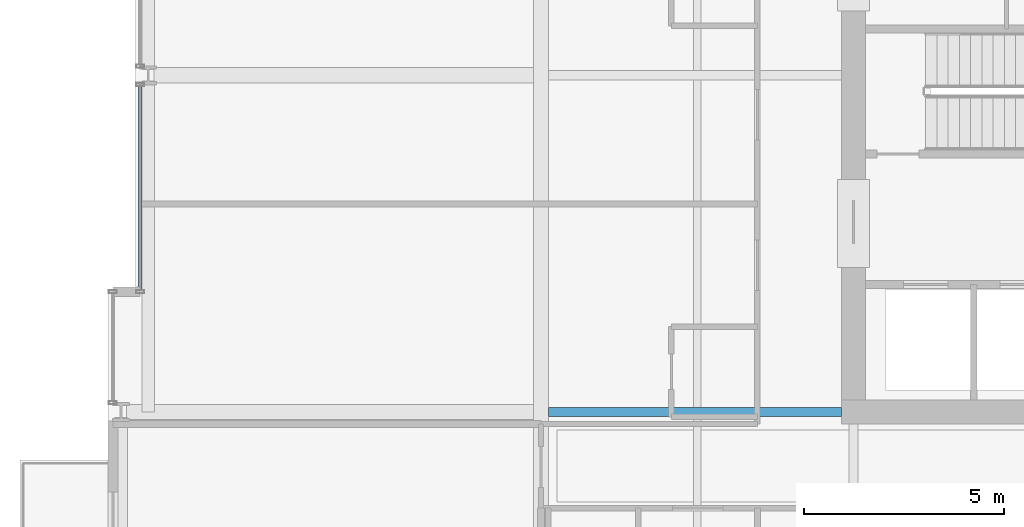
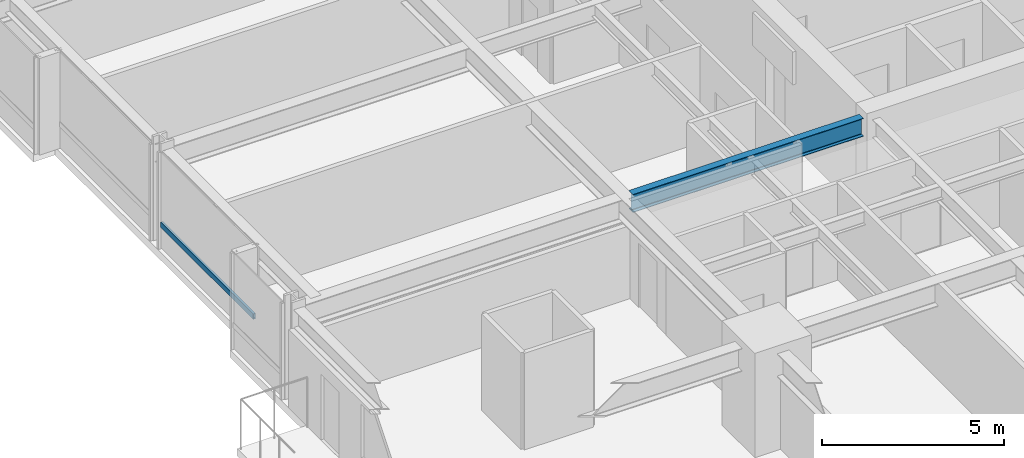
# One storey, part 8 of 38: 1 beam, 1 member, 1 element without a shape of its own.
"""IFC4 building model written with IfcOpenShell, lengths in metres."""

import ifcopenshell
import ifcopenshell.guid

model = None  # the IFC model being written
_history = None  # IfcOwnerHistory: only IFC2X3 demands one
_inside = {}  # id of a spatial element -> (the spatial element, [elements in it])
_under = {}  # id of a project, library or spatial element -> (it, [spatial elements below it])
_declared = {}  # id of a project -> (the project, [libraries it declares])
_typed = {}  # id of a type object -> (the type object, [elements of that type])
_made_of = {}  # id of a material, layer set ... -> (it, [elements and type objects made of it])


def new_model(schema):
    """Start an empty IFC model of exactly this schema.

    Asked for "IFC4X3", IfcOpenShell would pick the latest addendum, in which some entities
    have other attributes; the version numbers below select the first issue.
    IFC2X3 requires an IfcOwnerHistory on every rooted entity: one is made here for all.
    """
    global model, _history
    if schema == "IFC4X3":
        model = ifcopenshell.file(schema_version=(4, 3, 0, 0))
    else:
        model = ifcopenshell.file(schema=schema)
    _inside.clear()
    _under.clear()
    _declared.clear()
    _typed.clear()
    _made_of.clear()
    _history = None
    if model.schema == "IFC2X3":
        org = make("IfcOrganization", Name="unknown")
        user = make(
            "IfcPersonAndOrganization",
            ThePerson=make("IfcPerson", FamilyName="unknown"),
            TheOrganization=org,
        )
        app = make(
            "IfcApplication",
            ApplicationDeveloper=org,
            Version="unknown",
            ApplicationFullName="unknown",
            ApplicationIdentifier="unknown",
        )
        _history = make(
            "IfcOwnerHistory",
            OwningUser=user,
            OwningApplication=app,
            ChangeAction="ADDED",
            CreationDate=0,
        )
    return model


def make(cls, **values):
    """One entity of the class cls with the attributes given. An attribute that is None is left unset."""
    return model.create_entity(
        cls, **{name: value for name, value in values.items() if value is not None}
    )


def rooted(cls, **values):
    """An entity with a GlobalId (a new one), such as an element, a storey or a relation."""
    return make(cls, GlobalId=ifcopenshell.guid.new(), OwnerHistory=_history, **values)


def si_unit(unit_type, name, prefix=None):
    """IfcSIUnit, for example si_unit("LENGTHUNIT", "METRE", prefix="MILLI")."""
    return make("IfcSIUnit", UnitType=unit_type, Prefix=prefix, Name=name)


def assignment(units):
    """IfcUnitAssignment: the units of a project."""
    return None if units is None else make("IfcUnitAssignment", Units=units)


def point(xyz):
    """IfcCartesianPoint."""
    return None if xyz is None else make("IfcCartesianPoint", Coordinates=xyz)


def direction(xyz):
    """IfcDirection."""
    return None if xyz is None else make("IfcDirection", DirectionRatios=xyz)


def frame(location, z_axis=None, x_axis=None):
    """IfcAxis2Placement3D, a coordinate frame: its origin and axes. An axis left out is left unset."""
    return make(
        "IfcAxis2Placement3D",
        Location=point(location),
        Axis=direction(z_axis),
        RefDirection=direction(x_axis),
    )


def frame_2d(location, x_axis=None):
    """IfcAxis2Placement2D, a coordinate frame in the plane: its origin and x axis."""
    return make(
        "IfcAxis2Placement2D", Location=point(location), RefDirection=direction(x_axis)
    )


def origin():
    """The frame at (0, 0, 0) with its axes left unset."""
    return frame((0.0, 0.0, 0.0))


def origin_2d():
    """The frame at (0, 0) in the plane with its x axis left unset."""
    return frame_2d((0.0, 0.0))


def place(relative_to, where):
    """IfcLocalPlacement: puts the frame where relative to a parent placement (None: the world)."""
    return make(
        "IfcLocalPlacement", PlacementRelTo=relative_to, RelativePlacement=where
    )


def context(
    kind, dimensions, precision=None, world=None, true_north=None, identifier=None
):
    """IfcGeometricRepresentationContext, for example the 3D "Model" context."""
    return make(
        "IfcGeometricRepresentationContext",
        ContextIdentifier=identifier,
        ContextType=kind,
        CoordinateSpaceDimension=dimensions,
        Precision=precision,
        WorldCoordinateSystem=world,
        TrueNorth=true_north,
    )


def subcontext(parent, identifier, kind, view, scale=None):
    """IfcGeometricRepresentationSubContext, for example "Body" below "Model"."""
    return make(
        "IfcGeometricRepresentationSubContext",
        ContextIdentifier=identifier,
        ContextType=kind,
        ParentContext=parent,
        TargetScale=scale,
        TargetView=view,
    )


def project(units=None, contexts=None):
    """IfcProject with its units and contexts."""
    return rooted(
        "IfcProject",
        Name="project",
        RepresentationContexts=contexts,
        UnitsInContext=assignment(units),
    )


def spatial(cls, under=None, at=None, **own):
    """A site, building, storey or space (cls), placed at a placement, below another one or the project."""
    s = rooted(cls, ObjectPlacement=at, **own)
    if under is not None:
        _under.setdefault(under.id(), (under, []))[1].append(s)
    return s


def profile(cls, at=None, kind="AREA", **sizes):
    """A parametric profile (cls). Its sizes go by their IFC names, for example OverallWidth=200.0."""
    return make(cls, ProfileType=kind, Position=at, **sizes)


def hollow_rectangle(**sizes):
    """IfcRectangleHollowProfileDef."""
    return profile("IfcRectangleHollowProfileDef", **sizes)


def i_section(**sizes):
    """IfcIShapeProfileDef."""
    return profile("IfcIShapeProfileDef", **sizes)


def extrude(swept, where, along, depth):
    """IfcExtrudedAreaSolid: the profile swept, set in the frame where, extruded along a direction by depth."""
    return make(
        "IfcExtrudedAreaSolid",
        SweptArea=swept,
        Position=where,
        ExtrudedDirection=direction(along),
        Depth=depth,
    )


def shape(context_of_items, identifier, shape_type, items):
    """IfcShapeRepresentation: the items that make up one representation, for example the "Body"."""
    return make(
        "IfcShapeRepresentation",
        ContextOfItems=context_of_items,
        RepresentationIdentifier=identifier,
        RepresentationType=shape_type,
        Items=items,
    )


def material(Name=None, Category=None):
    """IfcMaterial."""
    return make("IfcMaterial", Name=Name, Category=Category)


def layer(
    of_material, thickness, ventilated=None, Name=None, Category=None, Priority=None
):
    """IfcMaterialLayer: one layer of a wall or slab, of a material (None: an air gap)."""
    return make(
        "IfcMaterialLayer",
        Material=of_material,
        LayerThickness=thickness,
        IsVentilated=ventilated,
        Name=Name,
        Category=Category,
        Priority=Priority,
    )


def layer_set(layers, Name=None):
    """IfcMaterialLayerSet."""
    return make("IfcMaterialLayerSet", MaterialLayers=layers, LayerSetName=Name)


def material_profile(
    of_material, cross_section, Name=None, Category=None, Priority=None
):
    """IfcMaterialProfile: a cross section and its material."""
    return make(
        "IfcMaterialProfile",
        Name=Name,
        Material=of_material,
        Profile=cross_section,
        Priority=Priority,
        Category=Category,
    )


def profile_set(profiles, Name=None, composite=None):
    """IfcMaterialProfileSet."""
    return make(
        "IfcMaterialProfileSet",
        Name=Name,
        MaterialProfiles=profiles,
        CompositeProfile=composite,
    )


def made_of(thing, what):
    """Note that an element or type object is made of a material, layer set ...; save() writes the relation."""
    if what is not None:
        _made_of.setdefault(what.id(), (what, []))[1].append(thing)
    return thing


def type_object(cls, material=None, **own):
    """A type object (cls), such as IfcWallType, which elements share."""
    return made_of(rooted(cls, **own), material)


def element(
    cls,
    number,
    at=None,
    inside=None,
    cuts=None,
    type_object=None,
    material=None,
    context=None,
    identifier="Body",
    shape_type=None,
    held_by="IfcProductDefinitionShape",
    body=None,
    shapes=None,
    **own,
):
    """One element of the class cls, such as IfcWall. Its Tag is "e" and its number.

    at: its placement. inside: the storey or other place that contains it. cuts: it is an
    opening in that element (IfcRelVoidsElement). A single representation is given by context,
    identifier, shape_type and body (its items); several are given by shapes. held_by: the class
    of the entity that holds the representations. save() writes the other relations.
    """
    e = rooted(cls, Tag="e%d" % number, ObjectPlacement=at, **own)
    if body is not None:
        shapes = [shape(context, identifier, shape_type, body)]
    if shapes is not None:
        e.Representation = make(held_by, Representations=shapes)
    if inside is not None:
        _inside.setdefault(inside.id(), (inside, []))[1].append(e)
    if cuts is not None:
        rooted(
            "IfcRelVoidsElement", RelatingBuildingElement=cuts, RelatedOpeningElement=e
        )
    if type_object is not None:
        _typed.setdefault(type_object.id(), (type_object, []))[1].append(e)
    return made_of(e, material)


def aggregate(whole, parts):
    """IfcRelAggregates: a whole, such as a stair, and the parts it consists of."""
    return rooted("IfcRelAggregates", RelatingObject=whole, RelatedObjects=parts)


def save(model, path):
    """Write the relations noted so far, then the file.

    IfcRelAggregates (storeys below a building ...), IfcRelContainedInSpatialStructure (elements
    in a storey), IfcRelDefinesByType, IfcRelAssociatesMaterial and IfcRelDeclares: one each for
    every whole, place, type object, material and project.
    """
    for whole, parts in _under.values():
        aggregate(whole, parts)
    for where, things in _inside.values():
        rooted(
            "IfcRelContainedInSpatialStructure",
            RelatedElements=things,
            RelatingStructure=where,
        )
    for kind, things in _typed.values():
        rooted("IfcRelDefinesByType", RelatedObjects=things, RelatingType=kind)
    for what, things in _made_of.values():
        rooted("IfcRelAssociatesMaterial", RelatedObjects=things, RelatingMaterial=what)
    for by, libraries in _declared.values():
        rooted("IfcRelDeclares", RelatingContext=by, RelatedDefinitions=libraries)
    model.write(path)


model = new_model("IFC4")

# Units and contexts
model_context = context("Model", 3, precision=1e-05, world=origin(), true_north=direction((0.0, 1.0)))
body_context = subcontext(model_context, "Body", "Model", "MODEL_VIEW")
ifc_project = project(units=[si_unit("LENGTHUNIT", "METRE"), si_unit("AREAUNIT", "SQUARE_METRE"), si_unit("VOLUMEUNIT", "CUBIC_METRE"), si_unit("PLANEANGLEUNIT", "RADIAN"), si_unit("MASSUNIT", "GRAM", prefix="KILO")], contexts=[model_context])

# Site, building, storey
site_placement = place(None, origin())
site = spatial("IfcSite", under=ifc_project, at=site_placement, CompositionType="ELEMENT")
building_placement = place(site_placement, origin())
building = spatial("IfcBuilding", under=site, at=building_placement, Name="Drelvath Grand Hotel", CompositionType="ELEMENT")
storey_placement = place(building_placement, frame((0.0, 0.0, 61.199951171875)))
storey = spatial("IfcBuildingStorey", under=building, at=storey_placement, Name="L14", CompositionType="ELEMENT", Elevation=61.199951171875)

# Curtain wall, member
ifc_material_1 = material(Name="Warm Bronze Anodised Aluminium Frame", Category="aluminium")
ifc_layer = layer(ifc_material_1, 0.199951171875)
ifc_layer_set = layer_set([ifc_layer], Name="Warm Bronze Anodised Aluminium Frame")
curtain_wall_type = type_object("IfcCurtainWallType", Name="Stick Curtain Wall CW-02 Warm Bronze Low-Rise", PredefinedType="NOTDEFINED", material=ifc_layer_set)
curtain_wall_placement = place(storey_placement, origin())
curtain_wall = element("IfcCurtainWall", 1, at=curtain_wall_placement, inside=storey, type_object=curtain_wall_type, Name="L14 CW-02 Curtain Wall CW02-L14-WM1", PredefinedType="NOTDEFINED")
ifc_material_profile_1 = material_profile(ifc_material_1, hollow_rectangle(XDim=0.074951171875, YDim=0.179931640625, WallThickness=0.0048828125, at=origin_2d()), Name="HSS180X75X5")
ifc_profile_set_1 = profile_set([ifc_material_profile_1], Name="Warm Bronze Anodised Aluminium Frame")
member_type = type_object("IfcMemberType", Name="Curtain Wall Horizontal Transom CW-02 HSS180X75X5", PredefinedType="USERDEFINED", material=ifc_profile_set_1)
member_placement = place(storey_placement, frame((-26.199951171875, 21.639892578125, 0.81005859375), z_axis=(0.0, 1.0, 0.0), x_axis=(-1.0, 0.0, 0.0)))
member = element("IfcMember", 2, at=member_placement, type_object=member_type, Name="CW02-L14-WM1 Sill Transom", ObjectType="TRANSOM", PredefinedType="USERDEFINED", context=body_context, shape_type="SweptSolid", body=[
    extrude(hollow_rectangle(XDim=0.074951171875, YDim=0.179931640625, WallThickness=0.0048828125, at=origin_2d()), origin(), (0.0, 0.0, 1.0), 5.091064453125),
])
aggregate(curtain_wall, [member])

# Beam
ifc_material_2 = material(Name="Steel ASTM A992 Gr 50", Category="steel")
ifc_material_profile_2 = material_profile(ifc_material_2, i_section(OverallWidth=0.228271484375, OverallDepth=0.607666015625, WebThickness=0.01123046875, FlangeThickness=0.017333984375, FilletRadius=0.02001953125, at=origin_2d()), Name="W24X76")
ifc_profile_set_2 = profile_set([ifc_material_profile_2], Name="Steel ASTM A992 Gr 50")
beam_type = type_object("IfcBeamType", Name="Primary Floor Girder W24X76", PredefinedType="BEAM", material=ifc_profile_set_2)
beam_placement = place(storey_placement, frame((-16.009765625, 18.60009765625, 2.936279296875), z_axis=(1.0, 0.0, 0.0), x_axis=(0.0, 1.0, 0.0)))
element("IfcBeam", 3, at=beam_placement, inside=storey, type_object=beam_type, Name="L14 West Core Tie D", PredefinedType="BEAM", context=body_context, shape_type="SweptSolid", body=[
    extrude(i_section(OverallWidth=0.228271484375, OverallDepth=0.607666015625, WebThickness=0.01123046875, FlangeThickness=0.017333984375, FilletRadius=0.02001953125, at=origin_2d()), origin(), (0.0, 0.0, 1.0), 7.309814453125),
])

save(model, "model.ifc")
